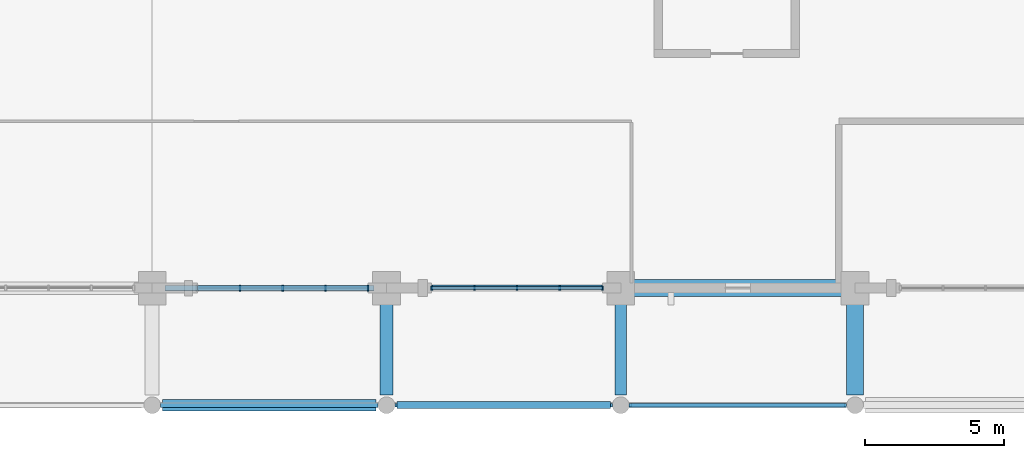
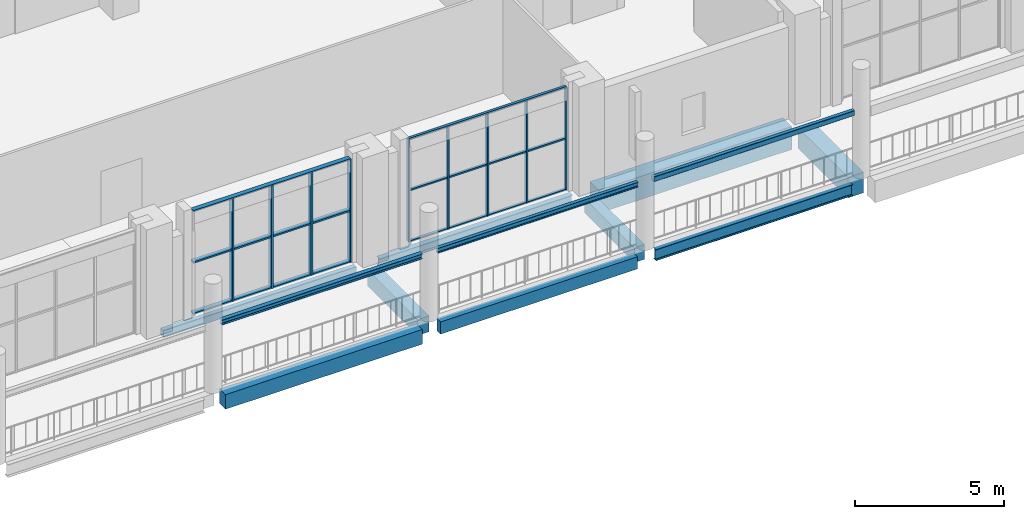
# One storey, part 40 of 75: 15 members, 12 beams, 2 elements without a shape of their own.
"""IFC4 building model written with IfcOpenShell, lengths in metres."""

import ifcopenshell
import ifcopenshell.guid

model = None  # the IFC model being written
_history = None  # IfcOwnerHistory: only IFC2X3 demands one
_inside = {}  # id of a spatial element -> (the spatial element, [elements in it])
_under = {}  # id of a project, library or spatial element -> (it, [spatial elements below it])
_declared = {}  # id of a project -> (the project, [libraries it declares])
_typed = {}  # id of a type object -> (the type object, [elements of that type])
_made_of = {}  # id of a material, layer set ... -> (it, [elements and type objects made of it])


def new_model(schema):
    """Start an empty IFC model of exactly this schema.

    Asked for "IFC4X3", IfcOpenShell would pick the latest addendum, in which some entities
    have other attributes; the version numbers below select the first issue.
    IFC2X3 requires an IfcOwnerHistory on every rooted entity: one is made here for all.
    """
    global model, _history
    if schema == "IFC4X3":
        model = ifcopenshell.file(schema_version=(4, 3, 0, 0))
    else:
        model = ifcopenshell.file(schema=schema)
    _inside.clear()
    _under.clear()
    _declared.clear()
    _typed.clear()
    _made_of.clear()
    _history = None
    if model.schema == "IFC2X3":
        org = make("IfcOrganization", Name="unknown")
        user = make(
            "IfcPersonAndOrganization",
            ThePerson=make("IfcPerson", FamilyName="unknown"),
            TheOrganization=org,
        )
        app = make(
            "IfcApplication",
            ApplicationDeveloper=org,
            Version="unknown",
            ApplicationFullName="unknown",
            ApplicationIdentifier="unknown",
        )
        _history = make(
            "IfcOwnerHistory",
            OwningUser=user,
            OwningApplication=app,
            ChangeAction="ADDED",
            CreationDate=0,
        )
    return model


def make(cls, **values):
    """One entity of the class cls with the attributes given. An attribute that is None is left unset."""
    return model.create_entity(
        cls, **{name: value for name, value in values.items() if value is not None}
    )


def rooted(cls, **values):
    """An entity with a GlobalId (a new one), such as an element, a storey or a relation."""
    return make(cls, GlobalId=ifcopenshell.guid.new(), OwnerHistory=_history, **values)


def si_unit(unit_type, name, prefix=None):
    """IfcSIUnit, for example si_unit("LENGTHUNIT", "METRE", prefix="MILLI")."""
    return make("IfcSIUnit", UnitType=unit_type, Prefix=prefix, Name=name)


def derived_unit(unit_type, elements):
    """IfcDerivedUnit: a product of units, each with its exponent."""
    return make(
        "IfcDerivedUnit",
        Elements=[
            make("IfcDerivedUnitElement", Unit=unit, Exponent=power)
            for unit, power in elements
        ],
        UnitType=unit_type,
    )


def assignment(units):
    """IfcUnitAssignment: the units of a project."""
    return None if units is None else make("IfcUnitAssignment", Units=units)


def point(xyz):
    """IfcCartesianPoint."""
    return None if xyz is None else make("IfcCartesianPoint", Coordinates=xyz)


def direction(xyz):
    """IfcDirection."""
    return None if xyz is None else make("IfcDirection", DirectionRatios=xyz)


def frame(location, z_axis=None, x_axis=None):
    """IfcAxis2Placement3D, a coordinate frame: its origin and axes. An axis left out is left unset."""
    return make(
        "IfcAxis2Placement3D",
        Location=point(location),
        Axis=direction(z_axis),
        RefDirection=direction(x_axis),
    )


def frame_2d(location, x_axis=None):
    """IfcAxis2Placement2D, a coordinate frame in the plane: its origin and x axis."""
    return make(
        "IfcAxis2Placement2D", Location=point(location), RefDirection=direction(x_axis)
    )


def origin():
    """The frame at (0, 0, 0) with its axes left unset."""
    return frame((0.0, 0.0, 0.0))


def origin_2d():
    """The frame at (0, 0) in the plane with its x axis left unset."""
    return frame_2d((0.0, 0.0))


def place(relative_to, where):
    """IfcLocalPlacement: puts the frame where relative to a parent placement (None: the world)."""
    return make(
        "IfcLocalPlacement", PlacementRelTo=relative_to, RelativePlacement=where
    )


def context(
    kind, dimensions, precision=None, world=None, true_north=None, identifier=None
):
    """IfcGeometricRepresentationContext, for example the 3D "Model" context."""
    return make(
        "IfcGeometricRepresentationContext",
        ContextIdentifier=identifier,
        ContextType=kind,
        CoordinateSpaceDimension=dimensions,
        Precision=precision,
        WorldCoordinateSystem=world,
        TrueNorth=true_north,
    )


def subcontext(parent, identifier, kind, view, scale=None):
    """IfcGeometricRepresentationSubContext, for example "Body" below "Model"."""
    return make(
        "IfcGeometricRepresentationSubContext",
        ContextIdentifier=identifier,
        ContextType=kind,
        ParentContext=parent,
        TargetScale=scale,
        TargetView=view,
    )


def project(units=None, contexts=None):
    """IfcProject with its units and contexts."""
    return rooted(
        "IfcProject",
        Name="project",
        RepresentationContexts=contexts,
        UnitsInContext=assignment(units),
    )


def spatial(cls, under=None, at=None, **own):
    """A site, building, storey or space (cls), placed at a placement, below another one or the project."""
    s = rooted(cls, ObjectPlacement=at, **own)
    if under is not None:
        _under.setdefault(under.id(), (under, []))[1].append(s)
    return s


def profile(cls, at=None, kind="AREA", **sizes):
    """A parametric profile (cls). Its sizes go by their IFC names, for example OverallWidth=200.0."""
    return make(cls, ProfileType=kind, Position=at, **sizes)


def rectangle(**sizes):
    """IfcRectangleProfileDef."""
    return profile("IfcRectangleProfileDef", **sizes)


def hollow_rectangle(**sizes):
    """IfcRectangleHollowProfileDef."""
    return profile("IfcRectangleHollowProfileDef", **sizes)


def i_section(**sizes):
    """IfcIShapeProfileDef."""
    return profile("IfcIShapeProfileDef", **sizes)


def extrude(swept, where, along, depth):
    """IfcExtrudedAreaSolid: the profile swept, set in the frame where, extruded along a direction by depth."""
    return make(
        "IfcExtrudedAreaSolid",
        SweptArea=swept,
        Position=where,
        ExtrudedDirection=direction(along),
        Depth=depth,
    )


def shape(context_of_items, identifier, shape_type, items):
    """IfcShapeRepresentation: the items that make up one representation, for example the "Body"."""
    return make(
        "IfcShapeRepresentation",
        ContextOfItems=context_of_items,
        RepresentationIdentifier=identifier,
        RepresentationType=shape_type,
        Items=items,
    )


def material(Name=None, Category=None):
    """IfcMaterial."""
    return make("IfcMaterial", Name=Name, Category=Category)


def material_profile(
    of_material, cross_section, Name=None, Category=None, Priority=None
):
    """IfcMaterialProfile: a cross section and its material."""
    return make(
        "IfcMaterialProfile",
        Name=Name,
        Material=of_material,
        Profile=cross_section,
        Priority=Priority,
        Category=Category,
    )


def profile_set(profiles, Name=None, composite=None):
    """IfcMaterialProfileSet."""
    return make(
        "IfcMaterialProfileSet",
        Name=Name,
        MaterialProfiles=profiles,
        CompositeProfile=composite,
    )


def made_of(thing, what):
    """Note that an element or type object is made of a material, layer set ...; save() writes the relation."""
    if what is not None:
        _made_of.setdefault(what.id(), (what, []))[1].append(thing)
    return thing


def type_object(cls, material=None, **own):
    """A type object (cls), such as IfcWallType, which elements share."""
    return made_of(rooted(cls, **own), material)


def element(
    cls,
    number,
    at=None,
    inside=None,
    cuts=None,
    type_object=None,
    material=None,
    context=None,
    identifier="Body",
    shape_type=None,
    held_by="IfcProductDefinitionShape",
    body=None,
    shapes=None,
    **own,
):
    """One element of the class cls, such as IfcWall. Its Tag is "e" and its number.

    at: its placement. inside: the storey or other place that contains it. cuts: it is an
    opening in that element (IfcRelVoidsElement). A single representation is given by context,
    identifier, shape_type and body (its items); several are given by shapes. held_by: the class
    of the entity that holds the representations. save() writes the other relations.
    """
    e = rooted(cls, Tag="e%d" % number, ObjectPlacement=at, **own)
    if body is not None:
        shapes = [shape(context, identifier, shape_type, body)]
    if shapes is not None:
        e.Representation = make(held_by, Representations=shapes)
    if inside is not None:
        _inside.setdefault(inside.id(), (inside, []))[1].append(e)
    if cuts is not None:
        rooted(
            "IfcRelVoidsElement", RelatingBuildingElement=cuts, RelatedOpeningElement=e
        )
    if type_object is not None:
        _typed.setdefault(type_object.id(), (type_object, []))[1].append(e)
    return made_of(e, material)


def aggregate(whole, parts):
    """IfcRelAggregates: a whole, such as a stair, and the parts it consists of."""
    return rooted("IfcRelAggregates", RelatingObject=whole, RelatedObjects=parts)


def save(model, path):
    """Write the relations noted so far, then the file.

    IfcRelAggregates (storeys below a building ...), IfcRelContainedInSpatialStructure (elements
    in a storey), IfcRelDefinesByType, IfcRelAssociatesMaterial and IfcRelDeclares: one each for
    every whole, place, type object, material and project.
    """
    for whole, parts in _under.values():
        aggregate(whole, parts)
    for where, things in _inside.values():
        rooted(
            "IfcRelContainedInSpatialStructure",
            RelatedElements=things,
            RelatingStructure=where,
        )
    for kind, things in _typed.values():
        rooted("IfcRelDefinesByType", RelatedObjects=things, RelatingType=kind)
    for what, things in _made_of.values():
        rooted("IfcRelAssociatesMaterial", RelatedObjects=things, RelatingMaterial=what)
    for by, libraries in _declared.values():
        rooted("IfcRelDeclares", RelatingContext=by, RelatedDefinitions=libraries)
    model.write(path)


model = new_model("IFC4")

# Units and contexts
model_context = context("Model", 3, precision=1e-05, world=origin(), true_north=direction((0.0, 1.0)))
body_context = subcontext(model_context, "Body", "Model", "MODEL_VIEW")
ifc_project = project(units=[si_unit("LENGTHUNIT", "METRE"), si_unit("AREAUNIT", "SQUARE_METRE"), si_unit("VOLUMEUNIT", "CUBIC_METRE"), si_unit("PLANEANGLEUNIT", "RADIAN"), si_unit("MASSUNIT", "GRAM", prefix="KILO"), derived_unit("THERMALTRANSMITTANCEUNIT", [(si_unit("POWERUNIT", "WATT"), 1), (si_unit("LENGTHUNIT", "METRE"), -2), (si_unit("THERMODYNAMICTEMPERATUREUNIT", "KELVIN"), -1)])], contexts=[model_context])

# Site, building, storey
site_placement = place(None, origin())
site = spatial("IfcSite", under=ifc_project, at=site_placement, CompositionType="ELEMENT")
building_placement = place(site_placement, origin())
building = spatial("IfcBuilding", under=site, at=building_placement, Name="Barrovel Congress Hotel", CompositionType="ELEMENT")
storey_placement = place(building_placement, frame((0.0, 0.0, 5.39990234375)))
storey = spatial("IfcBuildingStorey", under=building, at=storey_placement, Name="L01", CompositionType="ELEMENT", Elevation=5.39990234375)

# Beams
ifc_material_1 = material(Name="Concrete C40", Category="concrete")
ifc_material_profile_1 = material_profile(ifc_material_1, rectangle(XDim=0.25, YDim=0.5, at=origin_2d()), Name="RC250x500")
ifc_profile_set_1 = profile_set([ifc_material_profile_1], Name="Concrete C40")
beam_type_1 = type_object("IfcBeamType", Name="BM-RC250x500", PredefinedType="SPANDREL", material=ifc_profile_set_1)
beam_1_placement = place(storey_placement, frame((134.77490234375, 0.0, -0.510009765625), z_axis=(1.0, 0.0, 0.0), x_axis=(0.0, 1.0, 0.0)))
element("IfcBeam", 1, at=beam_1_placement, inside=storey, type_object=beam_type_1, Name="BMX:L01:0.0:134.4-142.8", PredefinedType="SPANDREL", context=body_context, shape_type="SweptSolid", body=[
    extrude(rectangle(XDim=0.25, YDim=0.5, at=origin_2d()), origin(), (0.0, 0.0, 1.0), 7.650146484375),
])
ifc_material_profile_2 = material_profile(ifc_material_1, rectangle(XDim=0.39990234375, YDim=0.60009765625, at=origin_2d()), Name="RC400x600")
ifc_profile_set_2 = profile_set([ifc_material_profile_2], Name="Concrete C40")
beam_type_2 = type_object("IfcBeamType", Name="BM-RC400x600", PredefinedType="BEAM", material=ifc_profile_set_2)
beam_2_placement = place(storey_placement, frame((126.375, 0.0, -0.559814453125), z_axis=(1.0, 0.0, 0.0), x_axis=(0.0, 1.0, 0.0)))
element("IfcBeam", 2, at=beam_2_placement, inside=storey, type_object=beam_type_2, Name="BMX:L01:0.0:126.0-134.4", PredefinedType="BEAM", context=body_context, shape_type="SweptSolid", body=[
    extrude(rectangle(XDim=0.39990234375, YDim=0.60009765625, at=origin_2d()), origin(), (0.0, 0.0, 1.0), 7.64990234375),
])
beam_3_placement = place(storey_placement, frame((142.800048828125, 0.375, -0.559814453125), z_axis=(0.0, 1.0, 0.0), x_axis=(-1.0, 0.0, 0.0)))
element("IfcBeam", 3, at=beam_3_placement, inside=storey, type_object=beam_type_2, Name="BMY:L01:142.8:0.0-4.2", PredefinedType="BEAM", context=body_context, shape_type="SweptSolid", body=[
    extrude(rectangle(XDim=0.39990234375, YDim=0.60009765625, at=origin_2d()), origin(), (0.0, 0.0, 1.0), 3.375),
])
ifc_material_profile_3 = material_profile(ifc_material_1, rectangle(XDim=0.449951171875, YDim=0.64990234375, at=origin_2d()), Name="RC450x650")
ifc_profile_set_3 = profile_set([ifc_material_profile_3], Name="Concrete C40")
beam_type_3 = type_object("IfcBeamType", Name="BM-RC450x650", PredefinedType="BEAM", material=ifc_profile_set_3)
beam_4_placement = place(storey_placement, frame((134.39990234375, 0.375, -0.5849609375), z_axis=(0.0, 1.0, 0.0), x_axis=(-1.0, 0.0, 0.0)))
element("IfcBeam", 4, at=beam_4_placement, inside=storey, type_object=beam_type_3, Name="BMY:L01:134.4:0.0-4.2", PredefinedType="BEAM", context=body_context, shape_type="SweptSolid", body=[
    extrude(rectangle(XDim=0.449951171875, YDim=0.64990234375, at=origin_2d()), origin(), (0.0, 0.0, 1.0), 3.375),
])
ifc_material_profile_4 = material_profile(ifc_material_1, rectangle(XDim=0.60009765625, YDim=0.85009765625, at=origin_2d()), Name="RC600x850")
ifc_profile_set_4 = profile_set([ifc_material_profile_4], Name="Concrete C40")
beam_type_4 = type_object("IfcBeamType", Name="BM-RC600x850", PredefinedType="BEAM", material=ifc_profile_set_4)
beam_5_placement = place(storey_placement, frame((151.199951171875, 0.375, -0.684814453125), z_axis=(0.0, 1.0, 0.0), x_axis=(-1.0, 0.0, 0.0)))
element("IfcBeam", 5, at=beam_5_placement, inside=storey, type_object=beam_type_4, Name="BMY:L01:151.2:0.0-4.2", PredefinedType="BEAM", context=body_context, shape_type="SweptSolid", body=[
    extrude(rectangle(XDim=0.60009765625, YDim=0.85009765625, at=origin_2d()), origin(), (0.0, 0.0, 1.0), 3.375),
])
ifc_material_profile_5 = material_profile(ifc_material_1, rectangle(XDim=0.60009765625, YDim=0.949951171875, at=origin_2d()), Name="RC600x950")
ifc_profile_set_5 = profile_set([ifc_material_profile_5], Name="Concrete C40")
beam_type_5 = type_object("IfcBeamType", Name="BM-RC600x950", PredefinedType="BEAM", material=ifc_profile_set_5)
beam_6_placement = place(storey_placement, frame((143.25, 4.199951171875, -0.73486328125), z_axis=(1.0, 0.0, 0.0), x_axis=(0.0, 1.0, 0.0)))
element("IfcBeam", 6, at=beam_6_placement, inside=storey, type_object=beam_type_5, Name="BMX:L01:4.2:142.8-151.2", PredefinedType="BEAM", context=body_context, shape_type="SweptSolid", body=[
    extrude(rectangle(XDim=0.60009765625, YDim=0.949951171875, at=origin_2d()), origin(), (0.0, 0.0, 1.0), 7.5),
])

# Curtain wall, members
ifc_material_2 = material(Name="Anodised Aluminium Alloy 6063-T6", Category="aluminium")
curtain_wall_type = type_object("IfcCurtainWallType", Name="CW-ST-7200x3900", PredefinedType="USERDEFINED", material=ifc_material_2)
curtain_wall_1_placement = place(storey_placement, origin())
curtain_wall_1 = element("IfcCurtainWall", 7, at=curtain_wall_1_placement, inside=storey, type_object=curtain_wall_type, Name="CW:L01:S:16", ObjectType="STICK CURTAIN WALL", PredefinedType="USERDEFINED")
ifc_material_profile_6 = material_profile(ifc_material_2, rectangle(XDim=0.06005859375, YDim=0.139892578125, at=origin_2d()), Name="AL-M60x140")
ifc_profile_set_6 = profile_set([ifc_material_profile_6], Name="Anodised Aluminium Alloy 6063-T6")
member_type_1 = type_object("IfcMemberType", Name="CWM-AL-M60x140", PredefinedType="MULLION", material=ifc_profile_set_6)
member_1_placement = place(storey_placement, frame((136.02001953125, 4.199951171875, 0.0), z_axis=(0.0, 0.0, 1.0), x_axis=(1.0, 0.0, 0.0)))
member_1 = element("IfcMember", 8, at=member_1_placement, type_object=member_type_1, Name="CW:L01:S:16:M0", PredefinedType="MULLION", context=body_context, shape_type="SweptSolid", body=[
    extrude(rectangle(XDim=0.06005859375, YDim=0.139892578125, at=origin_2d()), origin(), (0.0, 0.0, 1.0), 4.22021484375),
])
member_2_placement = place(storey_placement, frame((137.550048828125, 4.199951171875, 0.0), z_axis=(0.0, 0.0, 1.0), x_axis=(1.0, 0.0, 0.0)))
member_2 = element("IfcMember", 9, at=member_2_placement, type_object=member_type_1, Name="CW:L01:S:16:M1", PredefinedType="MULLION", context=body_context, shape_type="SweptSolid", body=[
    extrude(rectangle(XDim=0.06005859375, YDim=0.139892578125, at=origin_2d()), origin(), (0.0, 0.0, 1.0), 4.22021484375),
])
member_3_placement = place(storey_placement, frame((139.080078125, 4.199951171875, 0.0), z_axis=(0.0, 0.0, 1.0), x_axis=(1.0, 0.0, 0.0)))
member_3 = element("IfcMember", 10, at=member_3_placement, type_object=member_type_1, Name="CW:L01:S:16:M2", PredefinedType="MULLION", context=body_context, shape_type="SweptSolid", body=[
    extrude(rectangle(XDim=0.06005859375, YDim=0.139892578125, at=origin_2d()), origin(), (0.0, 0.0, 1.0), 4.22021484375),
])
member_4_placement = place(storey_placement, frame((140.610107421875, 4.199951171875, 0.0), z_axis=(0.0, 0.0, 1.0), x_axis=(1.0, 0.0, 0.0)))
member_4 = element("IfcMember", 11, at=member_4_placement, type_object=member_type_1, Name="CW:L01:S:16:M3", PredefinedType="MULLION", context=body_context, shape_type="SweptSolid", body=[
    extrude(rectangle(XDim=0.06005859375, YDim=0.139892578125, at=origin_2d()), origin(), (0.0, 0.0, 1.0), 4.22021484375),
])
member_5_placement = place(storey_placement, frame((142.139892578125, 4.199951171875, 0.0), z_axis=(0.0, 0.0, 1.0), x_axis=(1.0, 0.0, 0.0)))
member_5 = element("IfcMember", 12, at=member_5_placement, type_object=member_type_1, Name="CW:L01:S:16:M4", PredefinedType="MULLION", context=body_context, shape_type="SweptSolid", body=[
    extrude(rectangle(XDim=0.06005859375, YDim=0.139892578125, at=origin_2d()), origin(), (0.0, 0.0, 1.0), 4.22021484375),
])

curtain_wall_2_placement = place(storey_placement, origin())
curtain_wall_2 = element("IfcCurtainWall", 13, at=curtain_wall_2_placement, inside=storey, type_object=curtain_wall_type, Name="CW:L01:S:15", ObjectType="STICK CURTAIN WALL", PredefinedType="USERDEFINED")
ifc_material_profile_7 = material_profile(ifc_material_2, rectangle(XDim=0.06494140625, YDim=0.219970703125, at=origin_2d()), Name="AL-M65x220")
ifc_profile_set_7 = profile_set([ifc_material_profile_7], Name="Anodised Aluminium Alloy 6063-T6")
member_type_2 = type_object("IfcMemberType", Name="CWM-AL-M65x220", PredefinedType="MULLION", material=ifc_profile_set_7)
member_6_placement = place(storey_placement, frame((129.14990234375, 4.199951171875, 0.0), z_axis=(0.0, 0.0, 1.0), x_axis=(1.0, 0.0, 0.0)))
member_6 = element("IfcMember", 14, at=member_6_placement, type_object=member_type_2, Name="CW:L01:S:15:M1", PredefinedType="MULLION", context=body_context, shape_type="SweptSolid", body=[
    extrude(rectangle(XDim=0.06494140625, YDim=0.219970703125, at=origin_2d()), origin(), (0.0, 0.0, 1.0), 4.22021484375),
])
member_7_placement = place(storey_placement, frame((130.679931640625, 4.199951171875, 0.0), z_axis=(0.0, 0.0, 1.0), x_axis=(1.0, 0.0, 0.0)))
member_7 = element("IfcMember", 15, at=member_7_placement, type_object=member_type_2, Name="CW:L01:S:15:M2", PredefinedType="MULLION", context=body_context, shape_type="SweptSolid", body=[
    extrude(rectangle(XDim=0.06494140625, YDim=0.219970703125, at=origin_2d()), origin(), (0.0, 0.0, 1.0), 4.22021484375),
])
member_8_placement = place(storey_placement, frame((132.2099609375, 4.199951171875, 0.0), z_axis=(0.0, 0.0, 1.0), x_axis=(1.0, 0.0, 0.0)))
member_8 = element("IfcMember", 16, at=member_8_placement, type_object=member_type_2, Name="CW:L01:S:15:M3", PredefinedType="MULLION", context=body_context, shape_type="SweptSolid", body=[
    extrude(rectangle(XDim=0.06494140625, YDim=0.219970703125, at=origin_2d()), origin(), (0.0, 0.0, 1.0), 4.22021484375),
])
member_9_placement = place(storey_placement, frame((133.739990234375, 4.199951171875, 0.0), z_axis=(0.0, 0.0, 1.0), x_axis=(1.0, 0.0, 0.0)))
member_9 = element("IfcMember", 17, at=member_9_placement, type_object=member_type_2, Name="CW:L01:S:15:M4", PredefinedType="MULLION", context=body_context, shape_type="SweptSolid", body=[
    extrude(rectangle(XDim=0.06494140625, YDim=0.219970703125, at=origin_2d()), origin(), (0.0, 0.0, 1.0), 4.22021484375),
])

# Member
ifc_material_profile_8 = material_profile(ifc_material_2, rectangle(XDim=0.10498046875, YDim=0.06005859375, at=origin_2d()), Name="AL-T60x105")
ifc_profile_set_8 = profile_set([ifc_material_profile_8], Name="Anodised Aluminium Alloy 6063-T6")
member_type_3 = type_object("IfcMemberType", Name="CWT-AL-T60x105", PredefinedType="USERDEFINED", material=ifc_profile_set_8)
member_10_placement = place(storey_placement, frame((136.02001953125, 4.199951171875, 0.0), z_axis=(1.0, 0.0, 0.0), x_axis=(0.0, 1.0, 0.0)))
member_10 = element("IfcMember", 18, at=member_10_placement, type_object=member_type_3, Name="CW:L01:S:16:T0", ObjectType="TRANSOM", PredefinedType="USERDEFINED", context=body_context, shape_type="SweptSolid", body=[
    extrude(rectangle(XDim=0.10498046875, YDim=0.06005859375, at=origin_2d()), origin(), (0.0, 0.0, 1.0), 6.119873046875),
])

member_11_placement = place(storey_placement, frame((136.02001953125, 4.199951171875, 2.110107421875), z_axis=(1.0, 0.0, 0.0), x_axis=(0.0, 1.0, 0.0)))
member_11 = element("IfcMember", 19, at=member_11_placement, type_object=member_type_3, Name="CW:L01:S:16:T1", ObjectType="TRANSOM", PredefinedType="USERDEFINED", context=body_context, shape_type="SweptSolid", body=[
    extrude(rectangle(XDim=0.10498046875, YDim=0.06005859375, at=origin_2d()), origin(), (0.0, 0.0, 1.0), 6.119873046875),
])

member_12_placement = place(storey_placement, frame((136.02001953125, 4.199951171875, 4.22021484375), z_axis=(1.0, 0.0, 0.0), x_axis=(0.0, 1.0, 0.0)))
member_12 = element("IfcMember", 20, at=member_12_placement, type_object=member_type_3, Name="CW:L01:S:16:T2", ObjectType="TRANSOM", PredefinedType="USERDEFINED", context=body_context, shape_type="SweptSolid", body=[
    extrude(rectangle(XDim=0.10498046875, YDim=0.06005859375, at=origin_2d()), origin(), (0.0, 0.0, 1.0), 6.119873046875),
])

aggregate(curtain_wall_1, [member_1, member_2, member_3, member_4, member_5, member_10, member_11, member_12])

ifc_material_profile_9 = material_profile(ifc_material_2, rectangle(XDim=0.179931640625, YDim=0.06494140625, at=origin_2d()), Name="AL-T65x180")
ifc_profile_set_9 = profile_set([ifc_material_profile_9], Name="Anodised Aluminium Alloy 6063-T6")
member_type_4 = type_object("IfcMemberType", Name="CWT-AL-T65x180", PredefinedType="USERDEFINED", material=ifc_profile_set_9)
member_13_placement = place(storey_placement, frame((127.6201171875, 4.199951171875, 0.0), z_axis=(1.0, 0.0, 0.0), x_axis=(0.0, 1.0, 0.0)))
member_13 = element("IfcMember", 21, at=member_13_placement, type_object=member_type_4, Name="CW:L01:S:15:T0", ObjectType="TRANSOM", PredefinedType="USERDEFINED", context=body_context, shape_type="SweptSolid", body=[
    extrude(rectangle(XDim=0.179931640625, YDim=0.06494140625, at=origin_2d()), origin(), (0.0, 0.0, 1.0), 6.119873046875),
])

member_14_placement = place(storey_placement, frame((127.6201171875, 4.199951171875, 2.110107421875), z_axis=(1.0, 0.0, 0.0), x_axis=(0.0, 1.0, 0.0)))
member_14 = element("IfcMember", 22, at=member_14_placement, type_object=member_type_4, Name="CW:L01:S:15:T1", ObjectType="TRANSOM", PredefinedType="USERDEFINED", context=body_context, shape_type="SweptSolid", body=[
    extrude(rectangle(XDim=0.179931640625, YDim=0.06494140625, at=origin_2d()), origin(), (0.0, 0.0, 1.0), 6.119873046875),
])

member_15_placement = place(storey_placement, frame((127.6201171875, 4.199951171875, 4.22021484375), z_axis=(1.0, 0.0, 0.0), x_axis=(0.0, 1.0, 0.0)))
member_15 = element("IfcMember", 23, at=member_15_placement, type_object=member_type_4, Name="CW:L01:S:15:T2", ObjectType="TRANSOM", PredefinedType="USERDEFINED", context=body_context, shape_type="SweptSolid", body=[
    extrude(rectangle(XDim=0.179931640625, YDim=0.06494140625, at=origin_2d()), origin(), (0.0, 0.0, 1.0), 6.119873046875),
])

aggregate(curtain_wall_2, [member_6, member_7, member_8, member_9, member_13, member_14, member_15])

# Beams
ifc_material_3 = material(Name="Steel ASTM A500 Grade C", Category="steel")
ifc_material_profile_10 = material_profile(ifc_material_3, hollow_rectangle(XDim=0.15234375, YDim=0.203125, WallThickness=0.0087890625, InnerFilletRadius=0.0087890625, OuterFilletRadius=0.017578125, at=origin_2d()), Name="HSS203x152x9.5")
ifc_profile_set_10 = profile_set([ifc_material_profile_10], Name="Steel ASTM A500 Grade C")
beam_type_6 = type_object("IfcBeamType", Name="SBM-HSS203x152x9.5", PredefinedType="LINTEL", material=ifc_profile_set_10)
beam_7_placement = place(storey_placement, frame((143.10009765625, 0.0, 2.6484375), z_axis=(1.0, 0.0, 0.0), x_axis=(0.0, 1.0, 0.0)))
element("IfcBeam", 24, at=beam_7_placement, inside=storey, type_object=beam_type_6, Name="LIN:L01:142.8-151.2", PredefinedType="LINTEL", context=body_context, shape_type="SweptSolid", body=[
    extrude(hollow_rectangle(XDim=0.15234375, YDim=0.203125, WallThickness=0.0087890625, InnerFilletRadius=0.0087890625, OuterFilletRadius=0.017578125, at=origin_2d()), origin(), (0.0, 0.0, 1.0), 7.7998046875),
])
ifc_material_profile_11 = material_profile(ifc_material_3, hollow_rectangle(XDim=0.203125, YDim=0.3046875, WallThickness=0.01171875, InnerFilletRadius=0.01171875, OuterFilletRadius=0.023681640625, at=origin_2d()), Name="HSS305x203x12.7")
ifc_profile_set_11 = profile_set([ifc_material_profile_11], Name="Steel ASTM A500 Grade C")
beam_type_7 = type_object("IfcBeamType", Name="SBM-HSS305x203x12.7", PredefinedType="SPANDREL", material=ifc_profile_set_11)
beam_8_placement = place(storey_placement, frame((126.449951171875, 4.199951171875, -0.412353515625), z_axis=(1.0, 0.0, 0.0), x_axis=(0.0, 1.0, 0.0)))
element("IfcBeam", 25, at=beam_8_placement, inside=storey, type_object=beam_type_7, Name="BMX:L01:4.2:126.0-134.4", PredefinedType="SPANDREL", context=body_context, shape_type="SweptSolid", body=[
    extrude(hollow_rectangle(XDim=0.203125, YDim=0.3046875, WallThickness=0.01171875, InnerFilletRadius=0.01171875, OuterFilletRadius=0.023681640625, at=origin_2d()), origin(), (0.0, 0.0, 1.0), 7.5),
])
ifc_material_4 = material(Name="Steel ASTM A992 Grade 50", Category="steel")
ifc_material_profile_12 = material_profile(ifc_material_4, i_section(OverallWidth=0.133056640625, OverallDepth=0.20703125, WebThickness=0.005859375, FlangeThickness=0.00830078125, FilletRadius=0.010009765625, at=origin_2d()), Name="W200x27")
ifc_profile_set_12 = profile_set([ifc_material_profile_12], Name="Steel ASTM A992 Grade 50")
beam_type_8 = type_object("IfcBeamType", Name="SBM-W200x27", PredefinedType="LINTEL", material=ifc_profile_set_12)
beam_9_placement = place(storey_placement, frame((134.699951171875, 0.0, 2.646484375), z_axis=(1.0, 0.0, 0.0), x_axis=(0.0, 1.0, 0.0)))
element("IfcBeam", 26, at=beam_9_placement, inside=storey, type_object=beam_type_8, Name="LIN:L01:134.4-142.8", PredefinedType="LINTEL", context=body_context, shape_type="SweptSolid", body=[
    extrude(i_section(OverallWidth=0.133056640625, OverallDepth=0.20703125, WebThickness=0.005859375, FlangeThickness=0.00830078125, FilletRadius=0.010009765625, at=origin_2d()), origin(), (0.0, 0.0, 1.0), 7.800048828125),
])
ifc_material_profile_13 = material_profile(ifc_material_4, i_section(OverallWidth=0.166015625, OverallDepth=0.205078125, WebThickness=0.007080078125, FlangeThickness=0.01171875, FilletRadius=0.010009765625, at=origin_2d()), Name="W200x42")
ifc_profile_set_13 = profile_set([ifc_material_profile_13], Name="Steel ASTM A992 Grade 50")
beam_type_9 = type_object("IfcBeamType", Name="SBM-W200x42", PredefinedType="LINTEL", material=ifc_profile_set_13)
beam_10_placement = place(storey_placement, frame((126.300048828125, 0.0, 2.647705078125), z_axis=(1.0, 0.0, 0.0), x_axis=(0.0, 1.0, 0.0)))
element("IfcBeam", 27, at=beam_10_placement, inside=storey, type_object=beam_type_9, Name="LIN:L01:126.0-134.4", PredefinedType="LINTEL", context=body_context, shape_type="SweptSolid", body=[
    extrude(i_section(OverallWidth=0.166015625, OverallDepth=0.205078125, WebThickness=0.007080078125, FlangeThickness=0.01171875, FilletRadius=0.010009765625, at=origin_2d()), origin(), (0.0, 0.0, 1.0), 7.800048828125),
])
ifc_material_profile_14 = material_profile(ifc_material_4, i_section(OverallWidth=0.205078125, OverallDepth=0.35400390625, WebThickness=0.009521484375, FlangeThickness=0.016845703125, FilletRadius=0.012939453125, at=origin_2d()), Name="W360x79")
ifc_profile_set_14 = profile_set([ifc_material_profile_14], Name="Steel ASTM A992 Grade 50")
beam_type_10 = type_object("IfcBeamType", Name="SBM-W360x79", PredefinedType="BEAM", material=ifc_profile_set_14)
beam_11_placement = place(storey_placement, frame((134.85009765625, 4.199951171875, -0.43701171875), z_axis=(1.0, 0.0, 0.0), x_axis=(0.0, 1.0, 0.0)))
element("IfcBeam", 28, at=beam_11_placement, inside=storey, type_object=beam_type_10, Name="BMX:L01:4.2:134.4-142.8", PredefinedType="BEAM", context=body_context, shape_type="SweptSolid", body=[
    extrude(i_section(OverallWidth=0.205078125, OverallDepth=0.35400390625, WebThickness=0.009521484375, FlangeThickness=0.016845703125, FilletRadius=0.012939453125, at=origin_2d()), origin(), (0.0, 0.0, 1.0), 7.5),
])
ifc_material_profile_15 = material_profile(ifc_material_4, i_section(OverallWidth=0.154052734375, OverallDepth=0.458984375, WebThickness=0.009033203125, FlangeThickness=0.015380859375, FilletRadius=0.012939453125, at=origin_2d()), Name="W460x68")
ifc_profile_set_15 = profile_set([ifc_material_profile_15], Name="Steel ASTM A992 Grade 50")
beam_type_11 = type_object("IfcBeamType", Name="SBM-W460x68", PredefinedType="BEAM", material=ifc_profile_set_15)
beam_12_placement = place(storey_placement, frame((143.175048828125, 0.0, -0.489501953125), z_axis=(1.0, 0.0, 0.0), x_axis=(0.0, 1.0, 0.0)))
element("IfcBeam", 29, at=beam_12_placement, inside=storey, type_object=beam_type_11, Name="BMX:L01:0.0:142.8-151.2", PredefinedType="BEAM", context=body_context, shape_type="SweptSolid", body=[
    extrude(i_section(OverallWidth=0.154052734375, OverallDepth=0.458984375, WebThickness=0.009033203125, FlangeThickness=0.015380859375, FilletRadius=0.012939453125, at=origin_2d()), origin(), (0.0, 0.0, 1.0), 7.64990234375),
])

save(model, "model.ifc")
